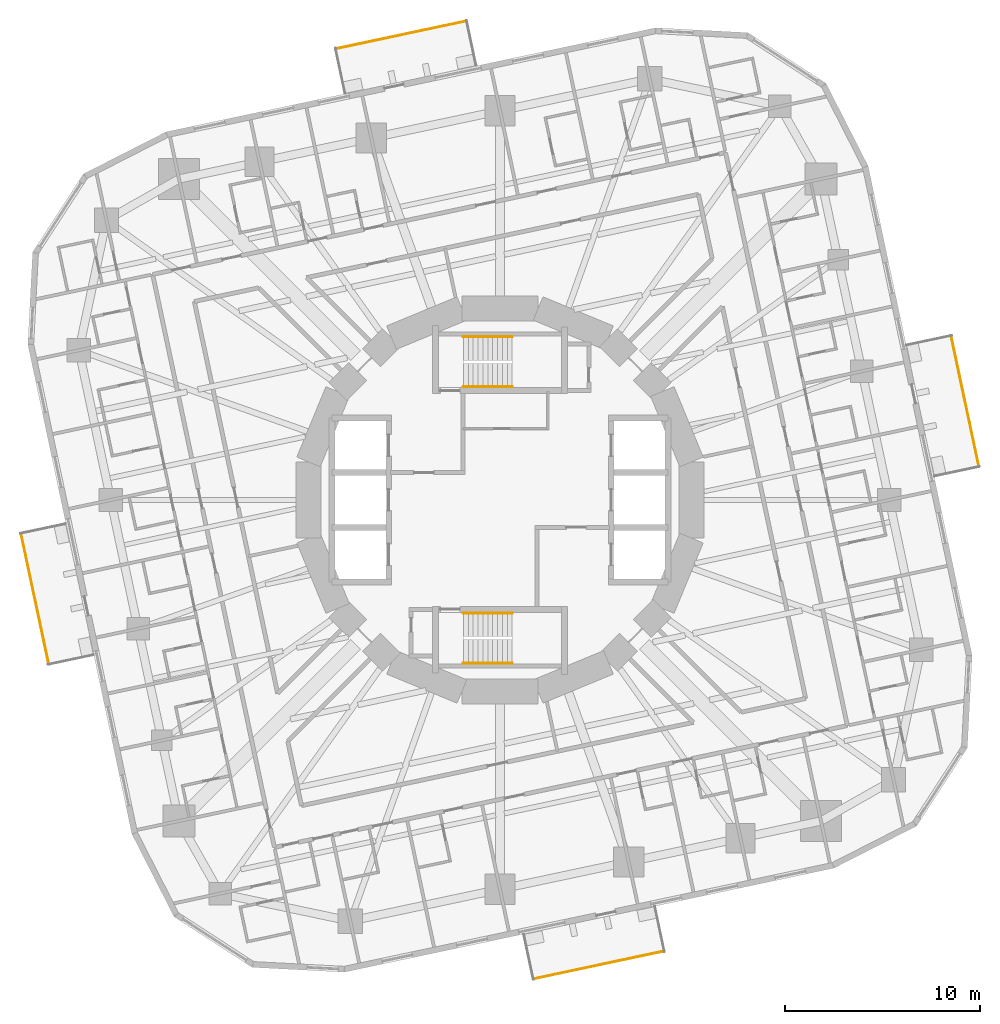
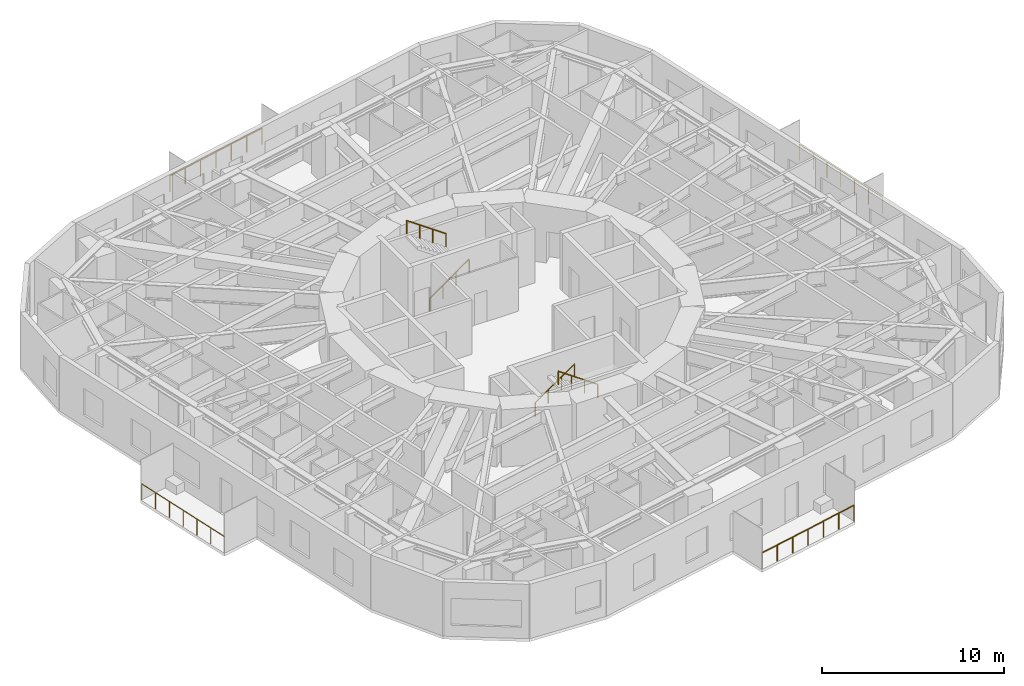
# One storey, part 12 of 13: 8 railings.
"""IFC4 building model written with IfcOpenShell, lengths in metres."""

from ifc_helpers import new_model, si_unit, direction, frame, origin, origin_2d, place, context, subcontext, project, spatial, circle, extrude, material, type_object, element, save


model = new_model("IFC4")

# Units and contexts
model_context = context("Model", 3, precision=1e-05, world=origin(), true_north=direction((0.0, 1.0)))
body_context = subcontext(model_context, "Body", "Model", "MODEL_VIEW")
ifc_project = project(units=[si_unit("LENGTHUNIT", "METRE"), si_unit("AREAUNIT", "SQUARE_METRE"), si_unit("VOLUMEUNIT", "CUBIC_METRE"), si_unit("PLANEANGLEUNIT", "RADIAN"), si_unit("MASSUNIT", "GRAM", prefix="KILO")], contexts=[model_context])

# Site, building, storey
site_placement = place(None, origin())
site = spatial("IfcSite", under=ifc_project, at=site_placement, CompositionType="ELEMENT")
building_placement = place(site_placement, origin())
building = spatial("IfcBuilding", under=site, at=building_placement, Name="Nakasero Lantern House", CompositionType="ELEMENT")
storey_placement = place(building_placement, frame((0.0, 0.0, 131.949951171875)))
storey = spatial("IfcBuildingStorey", under=building, at=storey_placement, Name="L32", CompositionType="ELEMENT", Elevation=131.949951171875)

# Railings
ifc_material_1 = material(Name="Aluminium 6063-T6", Category="aluminium")
railing_type_1 = type_object("IfcRailingType", Name="Balcony guard 1100", PredefinedType="BALUSTRADE", material=ifc_material_1)
railing_1_placement = place(storey_placement, frame((24.52685546875, 1.72705078125, 0.0)))
element("IfcRailing", 1, at=railing_1_placement, inside=storey, type_object=railing_type_1, Name="Balcony guard L32 BAL0", PredefinedType="BALUSTRADE", context=body_context, shape_type="SweptSolid", body=[
    extrude(circle(Radius=0.02392578125, at=origin_2d()), frame((0.0, 0.0, 1.076171875), z_axis=(-0.207907990246, 0.978148387307, 0.0), x_axis=(-0.978148387307, -0.207907990246, 0.0)), (0.0, 0.0, 1.0), 6.820068359375),
    extrude(circle(Radius=0.02099609375, at=origin_2d()), origin(), (0.0, 0.0, 1.0), 1.052001953125),
    extrude(circle(Radius=0.02099609375, at=origin_2d()), frame((-0.236328125, 1.11181640625, 0.0)), (0.0, 0.0, 1.0), 1.052001953125),
    extrude(circle(Radius=0.02099609375, at=origin_2d()), frame((-0.47265625, 2.2236328125, 0.0)), (0.0, 0.0, 1.0), 1.052001953125),
    extrude(circle(Radius=0.02099609375, at=origin_2d()), frame((-0.708984375, 3.33544921875, 0.0)), (0.0, 0.0, 1.0), 1.052001953125),
    extrude(circle(Radius=0.02099609375, at=origin_2d()), frame((-0.9453125, 4.447509765625, 0.0)), (0.0, 0.0, 1.0), 1.052001953125),
    extrude(circle(Radius=0.02099609375, at=origin_2d()), frame((-1.181640625, 5.559326171875, 0.0)), (0.0, 0.0, 1.0), 1.052001953125),
    extrude(circle(Radius=0.02099609375, at=origin_2d()), frame((-1.41796875, 6.671142578125, 0.0)), (0.0, 0.0, 1.0), 1.052001953125),
])
railing_2_placement = place(storey_placement, frame((-1.72705078125, 24.52685546875, 0.0)))
element("IfcRailing", 2, at=railing_2_placement, inside=storey, type_object=railing_type_1, Name="Balcony guard L32 BAL1", PredefinedType="BALUSTRADE", context=body_context, shape_type="SweptSolid", body=[
    extrude(circle(Radius=0.02392578125, at=origin_2d()), frame((0.0, 0.0, 1.076171875), z_axis=(-0.978148387307, -0.207907990246, 0.0), x_axis=(0.207907990246, -0.978148387307, 0.0)), (0.0, 0.0, 1.0), 6.820068359375),
    extrude(circle(Radius=0.02099609375, at=origin_2d()), origin(), (0.0, 0.0, 1.0), 1.052001953125),
    extrude(circle(Radius=0.02099609375, at=origin_2d()), frame((-1.11181640625, -0.236328125, 0.0)), (0.0, 0.0, 1.0), 1.052001953125),
    extrude(circle(Radius=0.02099609375, at=origin_2d()), frame((-2.2236328125, -0.47265625, 0.0)), (0.0, 0.0, 1.0), 1.052001953125),
    extrude(circle(Radius=0.02099609375, at=origin_2d()), frame((-3.33544921875, -0.708984375, 0.0)), (0.0, 0.0, 1.0), 1.052001953125),
    extrude(circle(Radius=0.02099609375, at=origin_2d()), frame((-4.447509765625, -0.9453125, 0.0)), (0.0, 0.0, 1.0), 1.052001953125),
    extrude(circle(Radius=0.02099609375, at=origin_2d()), frame((-5.559326171875, -1.181640625, 0.0)), (0.0, 0.0, 1.0), 1.052001953125),
    extrude(circle(Radius=0.02099609375, at=origin_2d()), frame((-6.671142578125, -1.41796875, 0.0)), (0.0, 0.0, 1.0), 1.052001953125),
])
railing_3_placement = place(storey_placement, frame((-24.52685546875, -1.72705078125, 0.0)))
element("IfcRailing", 3, at=railing_3_placement, inside=storey, type_object=railing_type_1, Name="Balcony guard L32 BAL2", PredefinedType="BALUSTRADE", context=body_context, shape_type="SweptSolid", body=[
    extrude(circle(Radius=0.02392578125, at=origin_2d()), frame((0.0, 0.0, 1.076171875), z_axis=(0.207907990246, -0.978148387307, 0.0), x_axis=(0.978148387307, 0.207907990246, 0.0)), (0.0, 0.0, 1.0), 6.820068359375),
    extrude(circle(Radius=0.02099609375, at=origin_2d()), origin(), (0.0, 0.0, 1.0), 1.052001953125),
    extrude(circle(Radius=0.02099609375, at=origin_2d()), frame((0.236328125, -1.11181640625, 0.0)), (0.0, 0.0, 1.0), 1.052001953125),
    extrude(circle(Radius=0.02099609375, at=origin_2d()), frame((0.47265625, -2.2236328125, 0.0)), (0.0, 0.0, 1.0), 1.052001953125),
    extrude(circle(Radius=0.02099609375, at=origin_2d()), frame((0.708984375, -3.33544921875, 0.0)), (0.0, 0.0, 1.0), 1.052001953125),
    extrude(circle(Radius=0.02099609375, at=origin_2d()), frame((0.9453125, -4.447509765625, 0.0)), (0.0, 0.0, 1.0), 1.052001953125),
    extrude(circle(Radius=0.02099609375, at=origin_2d()), frame((1.181640625, -5.559326171875, 0.0)), (0.0, 0.0, 1.0), 1.052001953125),
    extrude(circle(Radius=0.02099609375, at=origin_2d()), frame((1.41796875, -6.671142578125, 0.0)), (0.0, 0.0, 1.0), 1.052001953125),
])
railing_4_placement = place(storey_placement, frame((1.72705078125, -24.52685546875, 0.0)))
element("IfcRailing", 4, at=railing_4_placement, inside=storey, type_object=railing_type_1, Name="Balcony guard L32 BAL3", PredefinedType="BALUSTRADE", context=body_context, shape_type="SweptSolid", body=[
    extrude(circle(Radius=0.02392578125, at=origin_2d()), frame((0.0, 0.0, 1.076171875), z_axis=(0.978148387307, 0.207907990246, 0.0), x_axis=(-0.207907990246, 0.978148387307, 0.0)), (0.0, 0.0, 1.0), 6.820068359375),
    extrude(circle(Radius=0.02099609375, at=origin_2d()), origin(), (0.0, 0.0, 1.0), 1.052001953125),
    extrude(circle(Radius=0.02099609375, at=origin_2d()), frame((1.11181640625, 0.236328125, 0.0)), (0.0, 0.0, 1.0), 1.052001953125),
    extrude(circle(Radius=0.02099609375, at=origin_2d()), frame((2.2236328125, 0.47265625, 0.0)), (0.0, 0.0, 1.0), 1.052001953125),
    extrude(circle(Radius=0.02099609375, at=origin_2d()), frame((3.33544921875, 0.708984375, 0.0)), (0.0, 0.0, 1.0), 1.052001953125),
    extrude(circle(Radius=0.02099609375, at=origin_2d()), frame((4.447509765625, 0.9453125, 0.0)), (0.0, 0.0, 1.0), 1.052001953125),
    extrude(circle(Radius=0.02099609375, at=origin_2d()), frame((5.559326171875, 1.181640625, 0.0)), (0.0, 0.0, 1.0), 1.052001953125),
    extrude(circle(Radius=0.02099609375, at=origin_2d()), frame((6.671142578125, 1.41796875, 0.0)), (0.0, 0.0, 1.0), 1.052001953125),
])
ifc_material_2 = material(Name="Stainless steel 316", Category="steel")
railing_type_2 = type_object("IfcRailingType", Name="Stair handrail 900", PredefinedType="HANDRAIL", material=ifc_material_2)
railing_5_placement = place(storey_placement, frame((-1.875, 5.800048828125, 0.175048828125)))
element("IfcRailing", 5, at=railing_5_placement, inside=storey, type_object=railing_type_2, Name="Handrail ST1 L32 flight 1", PredefinedType="HANDRAIL", context=body_context, shape_type="SweptSolid", body=[
    extrude(circle(Radius=0.02392578125, at=origin_2d()), frame((0.0, 0.0, 0.8759765625), z_axis=(0.819231920519, 0.0, 0.573462344363), x_axis=(0.0, 1.0, 0.0)), (0.0, 0.0, 1.0), 3.0517578125),
    extrude(circle(Radius=0.02099609375, at=origin_2d()), origin(), (0.0, 0.0, 1.0), 0.851806640625),
    extrude(circle(Radius=0.02099609375, at=origin_2d()), frame((0.833251953125, 0.0, 0.583251953125)), (0.0, 0.0, 1.0), 0.851806640625),
    extrude(circle(Radius=0.02099609375, at=origin_2d()), frame((1.666748046875, 0.0, 1.166748046875)), (0.0, 0.0, 1.0), 0.851806640625),
    extrude(circle(Radius=0.02099609375, at=origin_2d()), frame((2.5, 0.0, 1.75)), (0.0, 0.0, 1.0), 0.851806640625),
])
railing_6_placement = place(storey_placement, frame((0.625, 8.35009765625, 2.10009765625)))
element("IfcRailing", 6, at=railing_6_placement, inside=storey, type_object=railing_type_2, Name="Handrail ST1 L32 flight 2", PredefinedType="HANDRAIL", context=body_context, shape_type="SweptSolid", body=[
    extrude(circle(Radius=0.02392578125, at=origin_2d()), frame((0.0, 0.0, 0.8759765625), z_axis=(-0.819231920519, 0.0, 0.573462344363), x_axis=(0.0, -1.0, 0.0)), (0.0, 0.0, 1.0), 3.0517578125),
    extrude(circle(Radius=0.02099609375, at=origin_2d()), origin(), (0.0, 0.0, 1.0), 0.851806640625),
    extrude(circle(Radius=0.02099609375, at=origin_2d()), frame((-0.833251953125, 0.0, 0.583251953125)), (0.0, 0.0, 1.0), 0.851806640625),
    extrude(circle(Radius=0.02099609375, at=origin_2d()), frame((-1.666748046875, 0.0, 1.166748046875)), (0.0, 0.0, 1.0), 0.851806640625),
    extrude(circle(Radius=0.02099609375, at=origin_2d()), frame((-2.5, 0.0, 1.75)), (0.0, 0.0, 1.0), 0.851806640625),
])
railing_7_placement = place(storey_placement, frame((-1.875, -5.800048828125, 0.175048828125)))
element("IfcRailing", 7, at=railing_7_placement, inside=storey, type_object=railing_type_2, Name="Handrail ST2 L32 flight 1", PredefinedType="HANDRAIL", context=body_context, shape_type="SweptSolid", body=[
    extrude(circle(Radius=0.02392578125, at=origin_2d()), frame((0.0, 0.0, 0.8759765625), z_axis=(0.819231920519, 0.0, 0.573462344363), x_axis=(0.0, 1.0, 0.0)), (0.0, 0.0, 1.0), 3.0517578125),
    extrude(circle(Radius=0.02099609375, at=origin_2d()), origin(), (0.0, 0.0, 1.0), 0.851806640625),
    extrude(circle(Radius=0.02099609375, at=origin_2d()), frame((0.833251953125, 0.0, 0.583251953125)), (0.0, 0.0, 1.0), 0.851806640625),
    extrude(circle(Radius=0.02099609375, at=origin_2d()), frame((1.666748046875, 0.0, 1.166748046875)), (0.0, 0.0, 1.0), 0.851806640625),
    extrude(circle(Radius=0.02099609375, at=origin_2d()), frame((2.5, 0.0, 1.75)), (0.0, 0.0, 1.0), 0.851806640625),
])
railing_8_placement = place(storey_placement, frame((0.625, -8.35009765625, 2.10009765625)))
element("IfcRailing", 8, at=railing_8_placement, inside=storey, type_object=railing_type_2, Name="Handrail ST2 L32 flight 2", PredefinedType="HANDRAIL", context=body_context, shape_type="SweptSolid", body=[
    extrude(circle(Radius=0.02392578125, at=origin_2d()), frame((0.0, 0.0, 0.8759765625), z_axis=(-0.819231920519, 0.0, 0.573462344363), x_axis=(0.0, -1.0, 0.0)), (0.0, 0.0, 1.0), 3.0517578125),
    extrude(circle(Radius=0.02099609375, at=origin_2d()), origin(), (0.0, 0.0, 1.0), 0.851806640625),
    extrude(circle(Radius=0.02099609375, at=origin_2d()), frame((-0.833251953125, 0.0, 0.583251953125)), (0.0, 0.0, 1.0), 0.851806640625),
    extrude(circle(Radius=0.02099609375, at=origin_2d()), frame((-1.666748046875, 0.0, 1.166748046875)), (0.0, 0.0, 1.0), 0.851806640625),
    extrude(circle(Radius=0.02099609375, at=origin_2d()), frame((-2.5, 0.0, 1.75)), (0.0, 0.0, 1.0), 0.851806640625),
])

save(model, "model.ifc")
